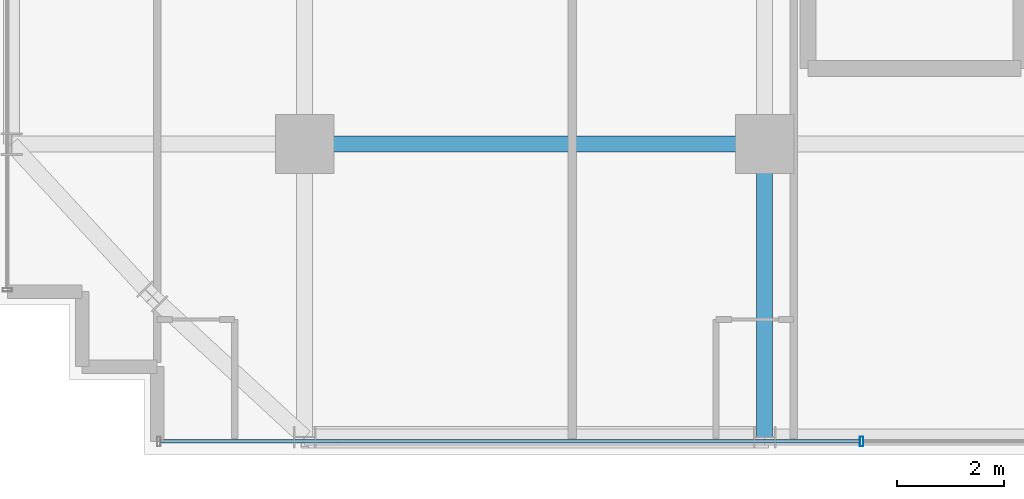
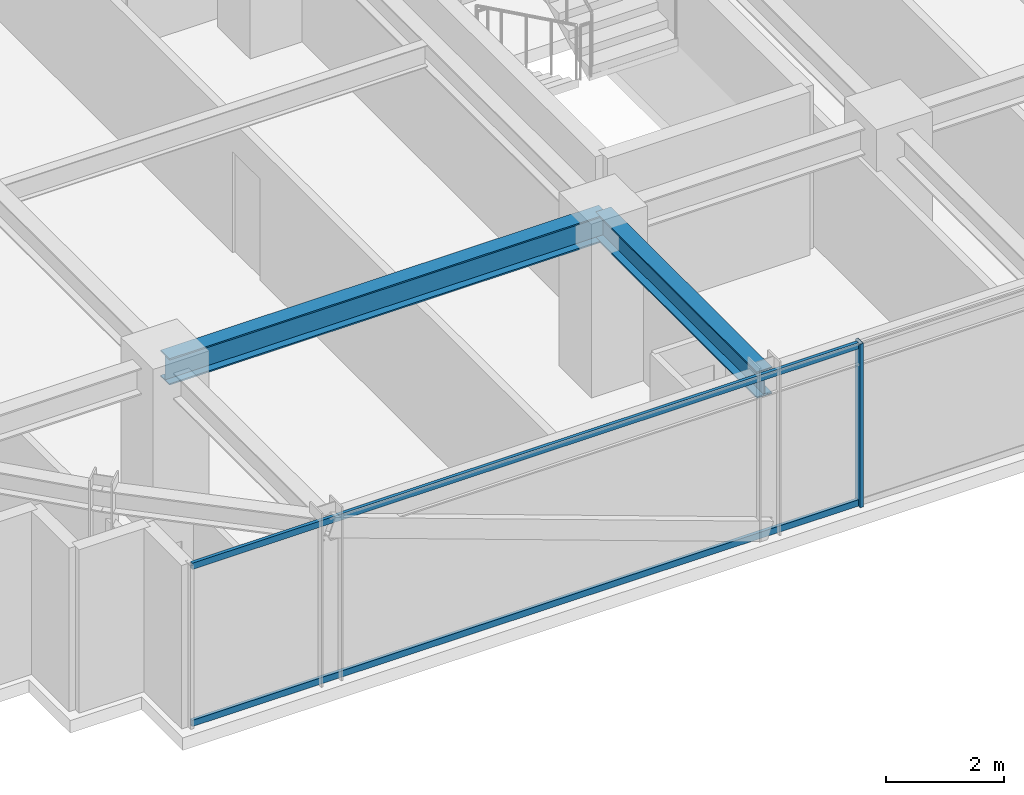
# One storey, part 3 of 29: 3 members, 2 beams, 1 element without a shape of its own.
"""IFC4 building model written with IfcOpenShell, lengths in metres."""

from ifc_helpers import new_model, si_unit, direction, frame, origin, origin_2d, place, context, subcontext, project, spatial, hollow_rectangle, i_section, extrude, source, transform, mapped, material, material_profile, profile_set, type_object, element, aggregate, save


model = new_model("IFC4")

# Units and contexts
model_context = context("Model", 3, precision=1e-05, world=origin(), true_north=direction((0.0, 1.0)))
body_context = subcontext(model_context, "Body", "Model", "MODEL_VIEW")
ifc_project = project(units=[si_unit("LENGTHUNIT", "METRE"), si_unit("AREAUNIT", "SQUARE_METRE"), si_unit("VOLUMEUNIT", "CUBIC_METRE"), si_unit("PLANEANGLEUNIT", "RADIAN"), si_unit("MASSUNIT", "GRAM", prefix="KILO")], contexts=[model_context])

# Site, building, storey
site_placement = place(None, origin())
site = spatial("IfcSite", under=ifc_project, at=site_placement, CompositionType="ELEMENT")
building_placement = place(site_placement, origin())
building = spatial("IfcBuilding", under=site, at=building_placement, Name="Nahalor Promenade Grand Hotel", CompositionType="ELEMENT")
storey_placement = place(building_placement, frame((0.0, 0.0, 189.14990234375)))
storey = spatial("IfcBuildingStorey", under=building, at=storey_placement, Name="L48", CompositionType="ELEMENT", Elevation=189.14990234375)

# Beams
ifc_material_1 = material(Name="Steel S355JR", Category="steel")
ifc_material_profile_1 = material_profile(ifc_material_1, i_section(OverallWidth=0.3, OverallDepth=0.55, WebThickness=0.015, FlangeThickness=0.029, at=origin_2d()), Name="HEB 550")
ifc_profile_set_1 = profile_set([ifc_material_profile_1], Name="Steel S355JR")
beam_type = type_object("IfcBeamType", Name="Beam-Girder-HEB550", PredefinedType="BEAM", material=ifc_profile_set_1)
shared_shape_1 = source(origin(), body_context, "Body", "SweptSolid", [
    extrude(i_section(OverallWidth=0.3, OverallDepth=0.55, WebThickness=0.015, FlangeThickness=0.029, at=origin_2d()), origin(), (0.0, 0.0, 1.0), 8.60009765625),
])
beam_1_placement = place(storey_placement, frame((-17.0, -17.0, 3.114990234375), z_axis=(1.0, 0.0, 0.0), x_axis=(0.0, 1.0, 0.0)))
element("IfcBeam", 1, at=beam_1_placement, inside=storey, type_object=beam_type, Name="BM-L48-GX-0-1", PredefinedType="BEAM", context=body_context, shape_type="MappedRepresentation", body=[
    mapped(shared_shape_1, transform((0.0, 0.0, 0.0), scale=1.0)),
])
shared_shape_2 = source(origin(), body_context, "Body", "SweptSolid", [
    extrude(i_section(OverallWidth=0.3, OverallDepth=0.55, WebThickness=0.015, FlangeThickness=0.029, at=origin_2d()), origin(), (0.0, 0.0, 1.0), 5.47998046875),
])
beam_2_placement = place(storey_placement, frame((-8.39990234375, -22.47998046875, 3.114990234375), z_axis=(0.0, 1.0, 0.0), x_axis=(-1.0, 0.0, 0.0)))
element("IfcBeam", 2, at=beam_2_placement, inside=storey, type_object=beam_type, Name="BM-L48-GY-1-0", PredefinedType="BEAM", context=body_context, shape_type="MappedRepresentation", body=[
    mapped(shared_shape_2, transform((0.0, 0.0, 0.0), scale=1.0)),
])

# Curtain wall, members
ifc_material_2 = material(Name="Anodised Bronze Aluminium EN AW-6063 T6", Category="aluminium")
curtain_wall_type = type_object("IfcCurtainWallType", Name="CW2 Typical Hotel Flush Bronze Unitised Curtain Wall", PredefinedType="USERDEFINED", material=ifc_material_2)
curtain_wall_placement = place(storey_placement, origin())
curtain_wall = element("IfcCurtainWall", 3, at=curtain_wall_placement, inside=storey, type_object=curtain_wall_type, Name="L48 Curtain Wall CW-L48-S-1", ObjectType="UNITISED_CURTAIN_WALL", PredefinedType="USERDEFINED")
ifc_material_profile_2 = material_profile(ifc_material_2, hollow_rectangle(XDim=0.065, YDim=0.13, WallThickness=0.004, at=origin_2d()), Name="CWT 65x130x4")
ifc_profile_set_2 = profile_set([ifc_material_profile_2], Name="Anodised Bronze Aluminium EN AW-6063 T6")
member_type_1 = type_object("IfcMemberType", Name="CWT2 Typical Bronze Transom 65x130", PredefinedType="USERDEFINED", material=ifc_profile_set_2)
shared_shape_3 = source(origin(), body_context, "Body", "SweptSolid", [
    extrude(hollow_rectangle(XDim=0.065, YDim=0.13, WallThickness=0.004, at=origin_2d()), origin(), (0.0, 0.0, 1.0), 13.075927734375),
])
member_1_placement = place(storey_placement, frame((-19.695068359375, -22.56005859375, 0.065185546875), z_axis=(1.0, 0.0, 0.0), x_axis=(0.0, 1.0, 0.0)))
member_1 = element("IfcMember", 4, at=member_1_placement, type_object=member_type_1, Name="CW-L48-S-1 Transom 0-0", ObjectType="TRANSOM", PredefinedType="USERDEFINED", context=body_context, shape_type="MappedRepresentation", body=[
    mapped(shared_shape_3, transform((0.0, 0.0, 0.0), scale=1.0)),
])
member_2_placement = place(storey_placement, frame((-19.695068359375, -22.56005859375, 3.3251953125), z_axis=(1.0, 0.0, 0.0), x_axis=(0.0, 1.0, 0.0)))
member_2 = element("IfcMember", 5, at=member_2_placement, type_object=member_type_1, Name="CW-L48-S-1 Transom 0-1", ObjectType="TRANSOM", PredefinedType="USERDEFINED", context=body_context, shape_type="MappedRepresentation", body=[
    mapped(shared_shape_3, transform((0.0, 0.0, 0.0), scale=1.0)),
])
ifc_material_profile_3 = material_profile(ifc_material_2, hollow_rectangle(XDim=0.065, YDim=0.18, WallThickness=0.004, at=origin_2d()), Name="CWM 65x180x4")
ifc_profile_set_3 = profile_set([ifc_material_profile_3], Name="Anodised Bronze Aluminium EN AW-6063 T6")
member_type_2 = type_object("IfcMemberType", Name="CWM2 Typical Bronze Mullion 65x180", PredefinedType="MULLION", material=ifc_profile_set_3)
shared_shape_4 = source(origin(), body_context, "Body", "SweptSolid", [
    extrude(hollow_rectangle(XDim=0.065, YDim=0.18, WallThickness=0.004, at=origin_2d()), origin(), (0.0, 0.0, 1.0), 3.39013671875),
])
member_3_placement = place(storey_placement, frame((-6.586669921875, -22.56005859375, 0.0), z_axis=(0.0, 0.0, 1.0), x_axis=(1.0, 0.0, 0.0)))
member_3 = element("IfcMember", 6, at=member_3_placement, type_object=member_type_2, Name="CW-L48-S-1 Mullion 1", PredefinedType="MULLION", context=body_context, shape_type="MappedRepresentation", body=[
    mapped(shared_shape_4, transform((0.0, 0.0, 0.0), scale=1.0)),
])
aggregate(curtain_wall, [member_3, member_1, member_2])

save(model, "model.ifc")
